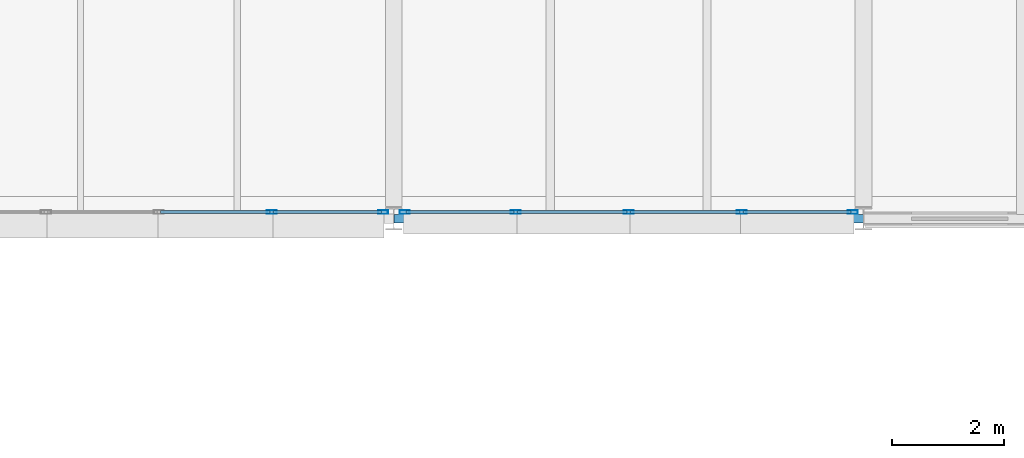
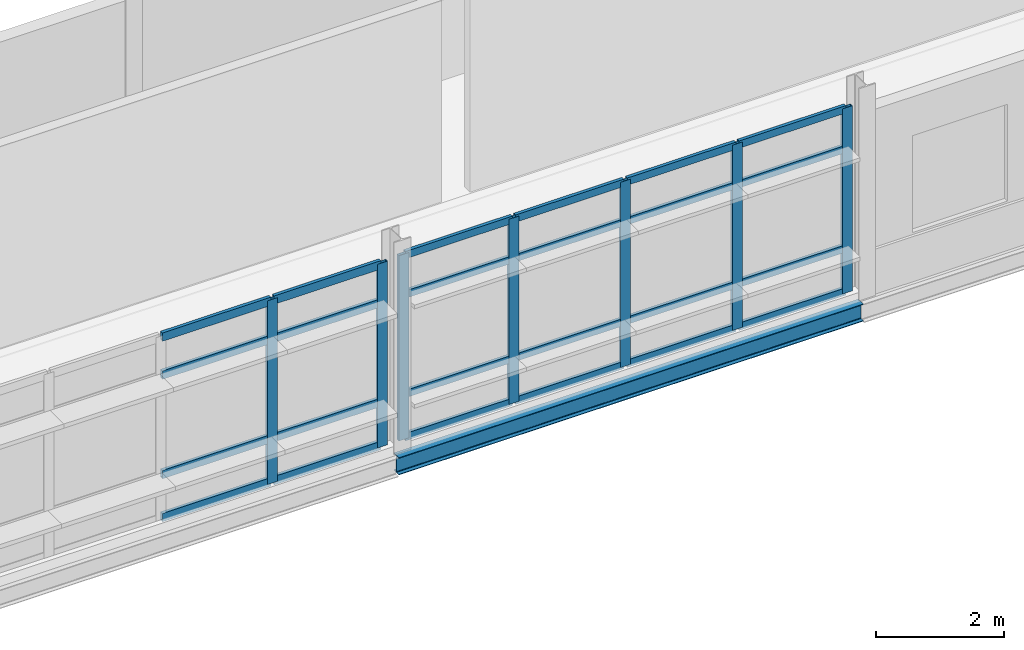
# One storey, part 43 of 103: 31 members, 1 beam, 2 elements without a shape of their own.
"""IFC4 building model written with IfcOpenShell, lengths in metres."""

from ifc_helpers import new_model, si_unit, direction, frame, origin, origin_2d, place, context, subcontext, project, spatial, hollow_rectangle, i_section, extrude, material, material_profile, profile_set, type_object, element, aggregate, save


model = new_model("IFC4")

# Units and contexts
model_context = context("Model", 3, precision=1e-05, world=origin(), true_north=direction((0.0, 1.0)))
body_context = subcontext(model_context, "Body", "Model", "MODEL_VIEW")
ifc_project = project(units=[si_unit("LENGTHUNIT", "METRE"), si_unit("AREAUNIT", "SQUARE_METRE"), si_unit("VOLUMEUNIT", "CUBIC_METRE"), si_unit("PLANEANGLEUNIT", "RADIAN"), si_unit("MASSUNIT", "GRAM", prefix="KILO")], contexts=[model_context])

# Site, building, storey
site_placement = place(None, origin())
site = spatial("IfcSite", under=ifc_project, at=site_placement, CompositionType="ELEMENT")
building_placement = place(site_placement, origin())
building = spatial("IfcBuilding", under=site, at=building_placement, Name="Mersafa Astral City Hall", CompositionType="ELEMENT")
storey_placement = place(building_placement, frame((0.0, 0.0, 18.0)))
storey = spatial("IfcBuildingStorey", under=building, at=storey_placement, Name="L04", CompositionType="ELEMENT", Elevation=18.0)

# Curtain wall, members
ifc_material_1 = material(Name="Anodised bronze aluminium framing", Category="aluminium")
curtain_wall_type_1 = type_object("IfcCurtainWallType", Name="ENV-CW-1", PredefinedType="USERDEFINED", material=ifc_material_1)
curtain_wall_1_placement = place(storey_placement, origin())
curtain_wall_1 = element("IfcCurtainWall", 1, at=curtain_wall_1_placement, inside=storey, type_object=curtain_wall_type_1, Name="L04 Unitised solar curtain wall 204", ObjectType="UNITISED CURTAIN WALL", PredefinedType="USERDEFINED")
ifc_material_profile_1 = material_profile(ifc_material_1, hollow_rectangle(XDim=0.06005859375, YDim=0.179931640625, WallThickness=0.00390625, at=origin_2d()), Name="RHS 60x180x4")
ifc_profile_set_1 = profile_set([ifc_material_profile_1], Name="Anodised bronze aluminium framing")
member_type_1 = type_object("IfcMemberType", Name="ENV-CW-MUL-1", PredefinedType="MULLION", material=ifc_profile_set_1)
member_1_placement = place(storey_placement, frame((73.4189453125, 117.719970703125, -0.001953125), z_axis=(0.0, 0.0, 1.0), x_axis=(0.0, 1.0, 0.0)))
member_1 = element("IfcMember", 2, at=member_1_placement, type_object=member_type_1, Name="CW-1 mullion 4", PredefinedType="MULLION", context=body_context, shape_type="SweptSolid", body=[
    extrude(hollow_rectangle(XDim=0.06005859375, YDim=0.179931640625, WallThickness=0.00390625, at=origin_2d()), origin(), (0.0, 0.0, 1.0), 3.509033203125),
])
member_2_placement = place(storey_placement, frame((75.407958984375, 117.719970703125, -0.001953125), z_axis=(0.0, 0.0, 1.0), x_axis=(0.0, 1.0, 0.0)))
member_2 = element("IfcMember", 3, at=member_2_placement, type_object=member_type_1, Name="CW-1 mullion 5", PredefinedType="MULLION", context=body_context, shape_type="SweptSolid", body=[
    extrude(hollow_rectangle(XDim=0.06005859375, YDim=0.179931640625, WallThickness=0.00390625, at=origin_2d()), origin(), (0.0, 0.0, 1.0), 3.509033203125),
])

curtain_wall_type_2 = type_object("IfcCurtainWallType", Name="ENV-CW-2", PredefinedType="USERDEFINED", material=ifc_material_1)
curtain_wall_2_placement = place(storey_placement, origin())
curtain_wall_2 = element("IfcCurtainWall", 4, at=curtain_wall_2_placement, inside=storey, type_object=curtain_wall_type_2, Name="L04 Unitised solar curtain wall 205", ObjectType="UNITISED CURTAIN WALL", PredefinedType="USERDEFINED")
member_3_placement = place(storey_placement, frame((75.7919921875, 117.719970703125, -0.001953125), z_axis=(0.0, 0.0, 1.0), x_axis=(0.0, 1.0, 0.0)))
member_3 = element("IfcMember", 5, at=member_3_placement, type_object=member_type_1, Name="CW-2 mullion 1", PredefinedType="MULLION", context=body_context, shape_type="SweptSolid", body=[
    extrude(hollow_rectangle(XDim=0.06005859375, YDim=0.179931640625, WallThickness=0.00390625, at=origin_2d()), origin(), (0.0, 0.0, 1.0), 3.5390625),
])
member_4_placement = place(storey_placement, frame((77.781005859375, 117.719970703125, -0.001953125), z_axis=(0.0, 0.0, 1.0), x_axis=(0.0, 1.0, 0.0)))
member_4 = element("IfcMember", 6, at=member_4_placement, type_object=member_type_1, Name="CW-2 mullion 2", PredefinedType="MULLION", context=body_context, shape_type="SweptSolid", body=[
    extrude(hollow_rectangle(XDim=0.06005859375, YDim=0.179931640625, WallThickness=0.00390625, at=origin_2d()), origin(), (0.0, 0.0, 1.0), 3.5390625),
])
member_5_placement = place(storey_placement, frame((79.800048828125, 117.719970703125, -0.001953125), z_axis=(0.0, 0.0, 1.0), x_axis=(0.0, 1.0, 0.0)))
member_5 = element("IfcMember", 7, at=member_5_placement, type_object=member_type_1, Name="CW-2 mullion 3", PredefinedType="MULLION", context=body_context, shape_type="SweptSolid", body=[
    extrude(hollow_rectangle(XDim=0.06005859375, YDim=0.179931640625, WallThickness=0.00390625, at=origin_2d()), origin(), (0.0, 0.0, 1.0), 3.5390625),
])
member_6_placement = place(storey_placement, frame((81.819091796875, 117.719970703125, -0.001953125), z_axis=(0.0, 0.0, 1.0), x_axis=(0.0, 1.0, 0.0)))
member_6 = element("IfcMember", 8, at=member_6_placement, type_object=member_type_1, Name="CW-2 mullion 4", PredefinedType="MULLION", context=body_context, shape_type="SweptSolid", body=[
    extrude(hollow_rectangle(XDim=0.06005859375, YDim=0.179931640625, WallThickness=0.00390625, at=origin_2d()), origin(), (0.0, 0.0, 1.0), 3.5390625),
])
member_7_placement = place(storey_placement, frame((83.80810546875, 117.719970703125, -0.001953125), z_axis=(0.0, 0.0, 1.0), x_axis=(0.0, 1.0, 0.0)))
member_7 = element("IfcMember", 9, at=member_7_placement, type_object=member_type_1, Name="CW-2 mullion 5", PredefinedType="MULLION", context=body_context, shape_type="SweptSolid", body=[
    extrude(hollow_rectangle(XDim=0.06005859375, YDim=0.179931640625, WallThickness=0.00390625, at=origin_2d()), origin(), (0.0, 0.0, 1.0), 3.5390625),
])
ifc_material_profile_2 = material_profile(ifc_material_1, hollow_rectangle(XDim=0.06005859375, YDim=0.139892578125, WallThickness=0.00390625, at=origin_2d()), Name="RHS 60x140x4")
ifc_profile_set_2 = profile_set([ifc_material_profile_2], Name="Anodised bronze aluminium framing")
member_type_2 = type_object("IfcMemberType", Name="ENV-CW-TRN-1", PredefinedType="USERDEFINED", material=ifc_profile_set_2)
member_8_placement = place(storey_placement, frame((75.822021484375, 117.719970703125, 0.028076171875), z_axis=(1.0, 0.0, 0.0), x_axis=(0.0, 1.0, 0.0)))
member_8 = element("IfcMember", 10, at=member_8_placement, type_object=member_type_2, Name="CW-2 transom 1.1", ObjectType="TRANSOM", PredefinedType="USERDEFINED", context=body_context, shape_type="SweptSolid", body=[
    extrude(hollow_rectangle(XDim=0.06005859375, YDim=0.139892578125, WallThickness=0.00390625, at=origin_2d()), origin(), (0.0, 0.0, 1.0), 1.928955078125),
])
member_9_placement = place(storey_placement, frame((75.822021484375, 117.719970703125, 0.85009765625), z_axis=(1.0, 0.0, 0.0), x_axis=(0.0, 1.0, 0.0)))
member_9 = element("IfcMember", 11, at=member_9_placement, type_object=member_type_2, Name="CW-2 transom 1.2", ObjectType="TRANSOM", PredefinedType="USERDEFINED", context=body_context, shape_type="SweptSolid", body=[
    extrude(hollow_rectangle(XDim=0.06005859375, YDim=0.139892578125, WallThickness=0.00390625, at=origin_2d()), origin(), (0.0, 0.0, 1.0), 1.928955078125),
])
member_10_placement = place(storey_placement, frame((75.822021484375, 117.719970703125, 2.75), z_axis=(1.0, 0.0, 0.0), x_axis=(0.0, 1.0, 0.0)))
member_10 = element("IfcMember", 12, at=member_10_placement, type_object=member_type_2, Name="CW-2 transom 1.3", ObjectType="TRANSOM", PredefinedType="USERDEFINED", context=body_context, shape_type="SweptSolid", body=[
    extrude(hollow_rectangle(XDim=0.06005859375, YDim=0.139892578125, WallThickness=0.00390625, at=origin_2d()), origin(), (0.0, 0.0, 1.0), 1.928955078125),
])
member_11_placement = place(storey_placement, frame((75.822021484375, 117.719970703125, 3.507080078125), z_axis=(1.0, 0.0, 0.0), x_axis=(0.0, 1.0, 0.0)))
member_11 = element("IfcMember", 13, at=member_11_placement, type_object=member_type_2, Name="CW-2 transom 1.4", ObjectType="TRANSOM", PredefinedType="USERDEFINED", context=body_context, shape_type="SweptSolid", body=[
    extrude(hollow_rectangle(XDim=0.06005859375, YDim=0.139892578125, WallThickness=0.00390625, at=origin_2d()), origin(), (0.0, 0.0, 1.0), 1.928955078125),
])
member_12_placement = place(storey_placement, frame((77.81103515625, 117.719970703125, 0.028076171875), z_axis=(1.0, 0.0, 0.0), x_axis=(0.0, 1.0, 0.0)))
member_12 = element("IfcMember", 14, at=member_12_placement, type_object=member_type_2, Name="CW-2 transom 2.1", ObjectType="TRANSOM", PredefinedType="USERDEFINED", context=body_context, shape_type="SweptSolid", body=[
    extrude(hollow_rectangle(XDim=0.06005859375, YDim=0.139892578125, WallThickness=0.00390625, at=origin_2d()), origin(), (0.0, 0.0, 1.0), 1.958984375),
])
member_13_placement = place(storey_placement, frame((77.81103515625, 117.719970703125, 0.85009765625), z_axis=(1.0, 0.0, 0.0), x_axis=(0.0, 1.0, 0.0)))
member_13 = element("IfcMember", 15, at=member_13_placement, type_object=member_type_2, Name="CW-2 transom 2.2", ObjectType="TRANSOM", PredefinedType="USERDEFINED", context=body_context, shape_type="SweptSolid", body=[
    extrude(hollow_rectangle(XDim=0.06005859375, YDim=0.139892578125, WallThickness=0.00390625, at=origin_2d()), origin(), (0.0, 0.0, 1.0), 1.958984375),
])
member_14_placement = place(storey_placement, frame((77.81103515625, 117.719970703125, 2.75), z_axis=(1.0, 0.0, 0.0), x_axis=(0.0, 1.0, 0.0)))
member_14 = element("IfcMember", 16, at=member_14_placement, type_object=member_type_2, Name="CW-2 transom 2.3", ObjectType="TRANSOM", PredefinedType="USERDEFINED", context=body_context, shape_type="SweptSolid", body=[
    extrude(hollow_rectangle(XDim=0.06005859375, YDim=0.139892578125, WallThickness=0.00390625, at=origin_2d()), origin(), (0.0, 0.0, 1.0), 1.958984375),
])
member_15_placement = place(storey_placement, frame((77.81103515625, 117.719970703125, 3.507080078125), z_axis=(1.0, 0.0, 0.0), x_axis=(0.0, 1.0, 0.0)))
member_15 = element("IfcMember", 17, at=member_15_placement, type_object=member_type_2, Name="CW-2 transom 2.4", ObjectType="TRANSOM", PredefinedType="USERDEFINED", context=body_context, shape_type="SweptSolid", body=[
    extrude(hollow_rectangle(XDim=0.06005859375, YDim=0.139892578125, WallThickness=0.00390625, at=origin_2d()), origin(), (0.0, 0.0, 1.0), 1.958984375),
])
member_16_placement = place(storey_placement, frame((79.830078125, 117.719970703125, 0.028076171875), z_axis=(1.0, 0.0, 0.0), x_axis=(0.0, 1.0, 0.0)))
member_16 = element("IfcMember", 18, at=member_16_placement, type_object=member_type_2, Name="CW-2 transom 3.1", ObjectType="TRANSOM", PredefinedType="USERDEFINED", context=body_context, shape_type="SweptSolid", body=[
    extrude(hollow_rectangle(XDim=0.06005859375, YDim=0.139892578125, WallThickness=0.00390625, at=origin_2d()), origin(), (0.0, 0.0, 1.0), 1.958984375),
])
member_17_placement = place(storey_placement, frame((79.830078125, 117.719970703125, 0.85009765625), z_axis=(1.0, 0.0, 0.0), x_axis=(0.0, 1.0, 0.0)))
member_17 = element("IfcMember", 19, at=member_17_placement, type_object=member_type_2, Name="CW-2 transom 3.2", ObjectType="TRANSOM", PredefinedType="USERDEFINED", context=body_context, shape_type="SweptSolid", body=[
    extrude(hollow_rectangle(XDim=0.06005859375, YDim=0.139892578125, WallThickness=0.00390625, at=origin_2d()), origin(), (0.0, 0.0, 1.0), 1.958984375),
])
member_18_placement = place(storey_placement, frame((79.830078125, 117.719970703125, 2.75), z_axis=(1.0, 0.0, 0.0), x_axis=(0.0, 1.0, 0.0)))
member_18 = element("IfcMember", 20, at=member_18_placement, type_object=member_type_2, Name="CW-2 transom 3.3", ObjectType="TRANSOM", PredefinedType="USERDEFINED", context=body_context, shape_type="SweptSolid", body=[
    extrude(hollow_rectangle(XDim=0.06005859375, YDim=0.139892578125, WallThickness=0.00390625, at=origin_2d()), origin(), (0.0, 0.0, 1.0), 1.958984375),
])
member_19_placement = place(storey_placement, frame((79.830078125, 117.719970703125, 3.507080078125), z_axis=(1.0, 0.0, 0.0), x_axis=(0.0, 1.0, 0.0)))
member_19 = element("IfcMember", 21, at=member_19_placement, type_object=member_type_2, Name="CW-2 transom 3.4", ObjectType="TRANSOM", PredefinedType="USERDEFINED", context=body_context, shape_type="SweptSolid", body=[
    extrude(hollow_rectangle(XDim=0.06005859375, YDim=0.139892578125, WallThickness=0.00390625, at=origin_2d()), origin(), (0.0, 0.0, 1.0), 1.958984375),
])
member_20_placement = place(storey_placement, frame((81.84912109375, 117.719970703125, 0.028076171875), z_axis=(1.0, 0.0, 0.0), x_axis=(0.0, 1.0, 0.0)))
member_20 = element("IfcMember", 22, at=member_20_placement, type_object=member_type_2, Name="CW-2 transom 4.1", ObjectType="TRANSOM", PredefinedType="USERDEFINED", context=body_context, shape_type="SweptSolid", body=[
    extrude(hollow_rectangle(XDim=0.06005859375, YDim=0.139892578125, WallThickness=0.00390625, at=origin_2d()), origin(), (0.0, 0.0, 1.0), 1.928955078125),
])
member_21_placement = place(storey_placement, frame((81.84912109375, 117.719970703125, 0.85009765625), z_axis=(1.0, 0.0, 0.0), x_axis=(0.0, 1.0, 0.0)))
member_21 = element("IfcMember", 23, at=member_21_placement, type_object=member_type_2, Name="CW-2 transom 4.2", ObjectType="TRANSOM", PredefinedType="USERDEFINED", context=body_context, shape_type="SweptSolid", body=[
    extrude(hollow_rectangle(XDim=0.06005859375, YDim=0.139892578125, WallThickness=0.00390625, at=origin_2d()), origin(), (0.0, 0.0, 1.0), 1.928955078125),
])
member_22_placement = place(storey_placement, frame((81.84912109375, 117.719970703125, 2.75), z_axis=(1.0, 0.0, 0.0), x_axis=(0.0, 1.0, 0.0)))
member_22 = element("IfcMember", 24, at=member_22_placement, type_object=member_type_2, Name="CW-2 transom 4.3", ObjectType="TRANSOM", PredefinedType="USERDEFINED", context=body_context, shape_type="SweptSolid", body=[
    extrude(hollow_rectangle(XDim=0.06005859375, YDim=0.139892578125, WallThickness=0.00390625, at=origin_2d()), origin(), (0.0, 0.0, 1.0), 1.928955078125),
])
member_23_placement = place(storey_placement, frame((81.84912109375, 117.719970703125, 3.507080078125), z_axis=(1.0, 0.0, 0.0), x_axis=(0.0, 1.0, 0.0)))
member_23 = element("IfcMember", 25, at=member_23_placement, type_object=member_type_2, Name="CW-2 transom 4.4", ObjectType="TRANSOM", PredefinedType="USERDEFINED", context=body_context, shape_type="SweptSolid", body=[
    extrude(hollow_rectangle(XDim=0.06005859375, YDim=0.139892578125, WallThickness=0.00390625, at=origin_2d()), origin(), (0.0, 0.0, 1.0), 1.928955078125),
])
aggregate(curtain_wall_2, [member_3, member_4, member_5, member_6, member_7, member_8, member_9, member_10, member_11, member_12, member_13, member_14, member_15, member_16, member_17, member_18, member_19, member_20, member_21, member_22, member_23])

# Member
ifc_material_profile_3 = material_profile(ifc_material_1, hollow_rectangle(XDim=0.06005859375, YDim=0.159912109375, WallThickness=0.00390625, at=origin_2d()), Name="RHS 60x160x4")
ifc_profile_set_3 = profile_set([ifc_material_profile_3], Name="Anodised bronze aluminium framing")
member_type_3 = type_object("IfcMemberType", Name="ENV-CW-TRN-2", PredefinedType="USERDEFINED", material=ifc_profile_set_3)
member_24_placement = place(storey_placement, frame((71.429931640625, 117.719970703125, 0.028076171875), z_axis=(1.0, 0.0, 0.0), x_axis=(0.0, 1.0, 0.0)))
member_24 = element("IfcMember", 26, at=member_24_placement, type_object=member_type_3, Name="CW-1 transom 3.1", ObjectType="TRANSOM", PredefinedType="USERDEFINED", context=body_context, shape_type="SweptSolid", body=[
    extrude(hollow_rectangle(XDim=0.06005859375, YDim=0.159912109375, WallThickness=0.00390625, at=origin_2d()), origin(), (0.0, 0.0, 1.0), 1.958984375),
])

member_25_placement = place(storey_placement, frame((71.429931640625, 117.719970703125, 0.85009765625), z_axis=(1.0, 0.0, 0.0), x_axis=(0.0, 1.0, 0.0)))
member_25 = element("IfcMember", 27, at=member_25_placement, type_object=member_type_3, Name="CW-1 transom 3.2", ObjectType="TRANSOM", PredefinedType="USERDEFINED", context=body_context, shape_type="SweptSolid", body=[
    extrude(hollow_rectangle(XDim=0.06005859375, YDim=0.159912109375, WallThickness=0.00390625, at=origin_2d()), origin(), (0.0, 0.0, 1.0), 1.958984375),
])

member_26_placement = place(storey_placement, frame((71.429931640625, 117.719970703125, 2.75), z_axis=(1.0, 0.0, 0.0), x_axis=(0.0, 1.0, 0.0)))
member_26 = element("IfcMember", 28, at=member_26_placement, type_object=member_type_3, Name="CW-1 transom 3.3", ObjectType="TRANSOM", PredefinedType="USERDEFINED", context=body_context, shape_type="SweptSolid", body=[
    extrude(hollow_rectangle(XDim=0.06005859375, YDim=0.159912109375, WallThickness=0.00390625, at=origin_2d()), origin(), (0.0, 0.0, 1.0), 1.958984375),
])

member_27_placement = place(storey_placement, frame((71.429931640625, 117.719970703125, 3.47705078125), z_axis=(1.0, 0.0, 0.0), x_axis=(0.0, 1.0, 0.0)))
member_27 = element("IfcMember", 29, at=member_27_placement, type_object=member_type_3, Name="CW-1 transom 3.4", ObjectType="TRANSOM", PredefinedType="USERDEFINED", context=body_context, shape_type="SweptSolid", body=[
    extrude(hollow_rectangle(XDim=0.06005859375, YDim=0.159912109375, WallThickness=0.00390625, at=origin_2d()), origin(), (0.0, 0.0, 1.0), 1.958984375),
])

member_28_placement = place(storey_placement, frame((73.448974609375, 117.719970703125, 0.028076171875), z_axis=(1.0, 0.0, 0.0), x_axis=(0.0, 1.0, 0.0)))
member_28 = element("IfcMember", 30, at=member_28_placement, type_object=member_type_3, Name="CW-1 transom 4.1", ObjectType="TRANSOM", PredefinedType="USERDEFINED", context=body_context, shape_type="SweptSolid", body=[
    extrude(hollow_rectangle(XDim=0.06005859375, YDim=0.159912109375, WallThickness=0.00390625, at=origin_2d()), origin(), (0.0, 0.0, 1.0), 1.928955078125),
])

member_29_placement = place(storey_placement, frame((73.448974609375, 117.719970703125, 0.85009765625), z_axis=(1.0, 0.0, 0.0), x_axis=(0.0, 1.0, 0.0)))
member_29 = element("IfcMember", 31, at=member_29_placement, type_object=member_type_3, Name="CW-1 transom 4.2", ObjectType="TRANSOM", PredefinedType="USERDEFINED", context=body_context, shape_type="SweptSolid", body=[
    extrude(hollow_rectangle(XDim=0.06005859375, YDim=0.159912109375, WallThickness=0.00390625, at=origin_2d()), origin(), (0.0, 0.0, 1.0), 1.928955078125),
])

member_30_placement = place(storey_placement, frame((73.448974609375, 117.719970703125, 2.75), z_axis=(1.0, 0.0, 0.0), x_axis=(0.0, 1.0, 0.0)))
member_30 = element("IfcMember", 32, at=member_30_placement, type_object=member_type_3, Name="CW-1 transom 4.3", ObjectType="TRANSOM", PredefinedType="USERDEFINED", context=body_context, shape_type="SweptSolid", body=[
    extrude(hollow_rectangle(XDim=0.06005859375, YDim=0.159912109375, WallThickness=0.00390625, at=origin_2d()), origin(), (0.0, 0.0, 1.0), 1.928955078125),
])

member_31_placement = place(storey_placement, frame((73.448974609375, 117.719970703125, 3.47705078125), z_axis=(1.0, 0.0, 0.0), x_axis=(0.0, 1.0, 0.0)))
member_31 = element("IfcMember", 33, at=member_31_placement, type_object=member_type_3, Name="CW-1 transom 4.4", ObjectType="TRANSOM", PredefinedType="USERDEFINED", context=body_context, shape_type="SweptSolid", body=[
    extrude(hollow_rectangle(XDim=0.06005859375, YDim=0.159912109375, WallThickness=0.00390625, at=origin_2d()), origin(), (0.0, 0.0, 1.0), 1.928955078125),
])

aggregate(curtain_wall_1, [member_1, member_2, member_24, member_25, member_26, member_27, member_28, member_29, member_30, member_31])

# Beam
ifc_material_2 = material(Name="Steel S355", Category="steel")
ifc_material_profile_4 = material_profile(ifc_material_2, i_section(OverallWidth=0.159912109375, OverallDepth=0.330078125, WebThickness=0.007568359375, FlangeThickness=0.011474609375, FilletRadius=0.01806640625, at=origin_2d()), Name="IPE 330")
ifc_profile_set_4 = profile_set([ifc_material_profile_4], Name="Steel S355")
beam_type = type_object("IfcBeamType", Name="STR-BM-SPANDREL-IPE330", PredefinedType="SPANDREL", material=ifc_profile_set_4)
beam_placement = place(storey_placement, frame((75.60302734375, 117.60009765625, -0.35009765625), z_axis=(1.0, 0.0, 0.0), x_axis=(0.0, 1.0, 0.0)))
element("IfcBeam", 34, at=beam_placement, inside=storey, type_object=beam_type, Name="L04 Primary girder X 9-14", PredefinedType="SPANDREL", context=body_context, shape_type="SweptSolid", body=[
    extrude(i_section(OverallWidth=0.159912109375, OverallDepth=0.330078125, WebThickness=0.007568359375, FlangeThickness=0.011474609375, FilletRadius=0.01806640625, at=origin_2d()), origin(), (0.0, 0.0, 1.0), 8.39404296875),
])

save(model, "model.ifc")
